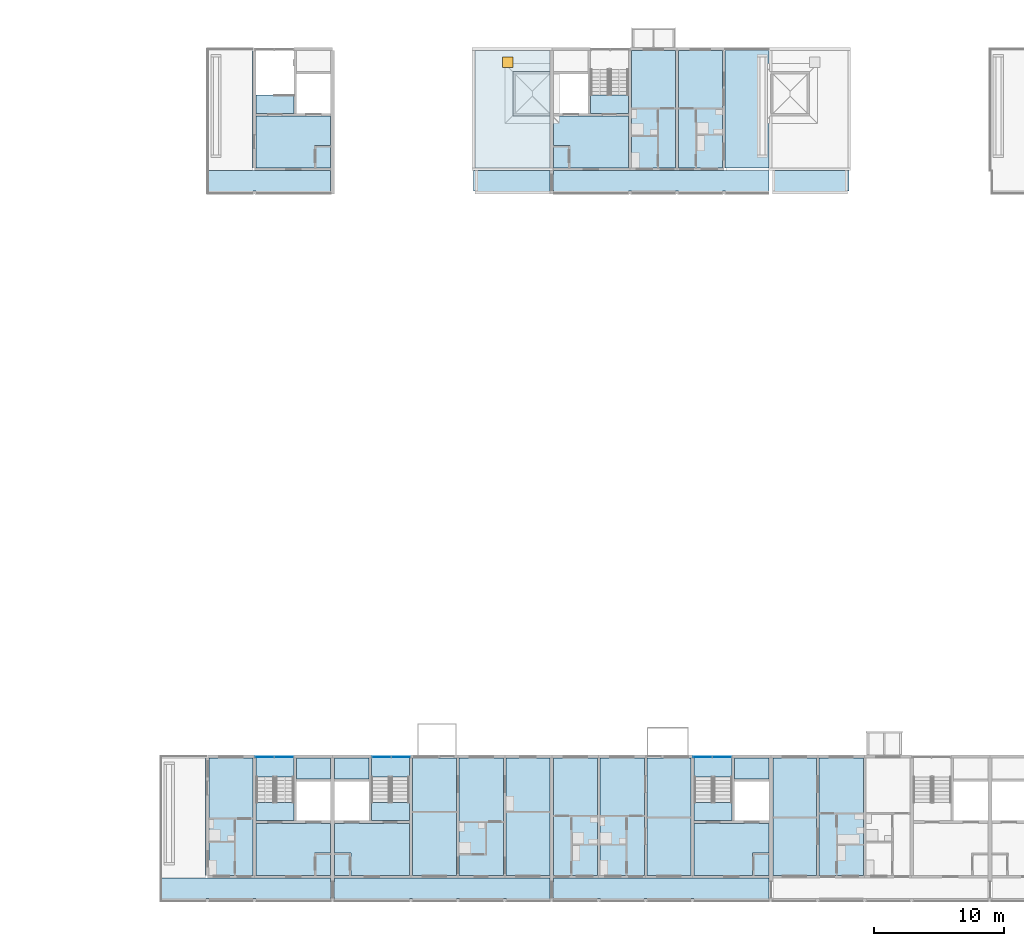
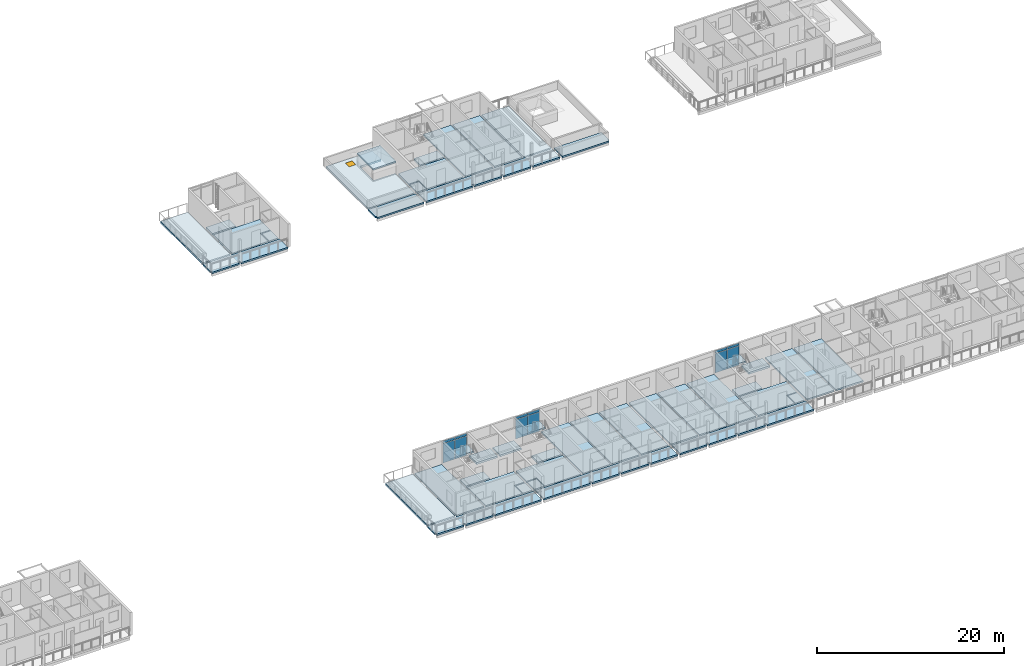
# One storey, part 28 of 78: 44 slabs, 12 plates, 1 door, 1 opening, 6 elements without a shape of their own.
"""IFC4 building model written with IfcOpenShell, lengths in metres."""

import ifcopenshell
import ifcopenshell.guid

model = None  # the IFC model being written
_history = None  # IfcOwnerHistory: only IFC2X3 demands one
_inside = {}  # id of a spatial element -> (the spatial element, [elements in it])
_under = {}  # id of a project, library or spatial element -> (it, [spatial elements below it])
_declared = {}  # id of a project -> (the project, [libraries it declares])
_typed = {}  # id of a type object -> (the type object, [elements of that type])
_made_of = {}  # id of a material, layer set ... -> (it, [elements and type objects made of it])


def new_model(schema):
    """Start an empty IFC model of exactly this schema.

    Asked for "IFC4X3", IfcOpenShell would pick the latest addendum, in which some entities
    have other attributes; the version numbers below select the first issue.
    IFC2X3 requires an IfcOwnerHistory on every rooted entity: one is made here for all.
    """
    global model, _history
    if schema == "IFC4X3":
        model = ifcopenshell.file(schema_version=(4, 3, 0, 0))
    else:
        model = ifcopenshell.file(schema=schema)
    _inside.clear()
    _under.clear()
    _declared.clear()
    _typed.clear()
    _made_of.clear()
    _history = None
    if model.schema == "IFC2X3":
        org = make("IfcOrganization", Name="unknown")
        user = make(
            "IfcPersonAndOrganization",
            ThePerson=make("IfcPerson", FamilyName="unknown"),
            TheOrganization=org,
        )
        app = make(
            "IfcApplication",
            ApplicationDeveloper=org,
            Version="unknown",
            ApplicationFullName="unknown",
            ApplicationIdentifier="unknown",
        )
        _history = make(
            "IfcOwnerHistory",
            OwningUser=user,
            OwningApplication=app,
            ChangeAction="ADDED",
            CreationDate=0,
        )
    return model


def make(cls, **values):
    """One entity of the class cls with the attributes given. An attribute that is None is left unset."""
    return model.create_entity(
        cls, **{name: value for name, value in values.items() if value is not None}
    )


def rooted(cls, **values):
    """An entity with a GlobalId (a new one), such as an element, a storey or a relation."""
    return make(cls, GlobalId=ifcopenshell.guid.new(), OwnerHistory=_history, **values)


def si_unit(unit_type, name, prefix=None):
    """IfcSIUnit, for example si_unit("LENGTHUNIT", "METRE", prefix="MILLI")."""
    return make("IfcSIUnit", UnitType=unit_type, Prefix=prefix, Name=name)


def assignment(units):
    """IfcUnitAssignment: the units of a project."""
    return None if units is None else make("IfcUnitAssignment", Units=units)


def point(xyz):
    """IfcCartesianPoint."""
    return None if xyz is None else make("IfcCartesianPoint", Coordinates=xyz)


def direction(xyz):
    """IfcDirection."""
    return None if xyz is None else make("IfcDirection", DirectionRatios=xyz)


def frame(location, z_axis=None, x_axis=None):
    """IfcAxis2Placement3D, a coordinate frame: its origin and axes. An axis left out is left unset."""
    return make(
        "IfcAxis2Placement3D",
        Location=point(location),
        Axis=direction(z_axis),
        RefDirection=direction(x_axis),
    )


def frame_2d(location, x_axis=None):
    """IfcAxis2Placement2D, a coordinate frame in the plane: its origin and x axis."""
    return make(
        "IfcAxis2Placement2D", Location=point(location), RefDirection=direction(x_axis)
    )


def origin():
    """The frame at (0, 0, 0) with its axes left unset."""
    return frame((0.0, 0.0, 0.0))


def origin_2d():
    """The frame at (0, 0) in the plane with its x axis left unset."""
    return frame_2d((0.0, 0.0))


def place(relative_to, where):
    """IfcLocalPlacement: puts the frame where relative to a parent placement (None: the world)."""
    return make(
        "IfcLocalPlacement", PlacementRelTo=relative_to, RelativePlacement=where
    )


def context(
    kind, dimensions, precision=None, world=None, true_north=None, identifier=None
):
    """IfcGeometricRepresentationContext, for example the 3D "Model" context."""
    return make(
        "IfcGeometricRepresentationContext",
        ContextIdentifier=identifier,
        ContextType=kind,
        CoordinateSpaceDimension=dimensions,
        Precision=precision,
        WorldCoordinateSystem=world,
        TrueNorth=true_north,
    )


def subcontext(parent, identifier, kind, view, scale=None):
    """IfcGeometricRepresentationSubContext, for example "Body" below "Model"."""
    return make(
        "IfcGeometricRepresentationSubContext",
        ContextIdentifier=identifier,
        ContextType=kind,
        ParentContext=parent,
        TargetScale=scale,
        TargetView=view,
    )


def project(units=None, contexts=None):
    """IfcProject with its units and contexts."""
    return rooted(
        "IfcProject",
        Name="project",
        RepresentationContexts=contexts,
        UnitsInContext=assignment(units),
    )


def spatial(cls, under=None, at=None, **own):
    """A site, building, storey or space (cls), placed at a placement, below another one or the project."""
    s = rooted(cls, ObjectPlacement=at, **own)
    if under is not None:
        _under.setdefault(under.id(), (under, []))[1].append(s)
    return s


def polyline(points):
    """IfcPolyline through the points."""
    return make("IfcPolyline", Points=[point(p) for p in points])


def profile(cls, at=None, kind="AREA", **sizes):
    """A parametric profile (cls). Its sizes go by their IFC names, for example OverallWidth=200.0."""
    return make(cls, ProfileType=kind, Position=at, **sizes)


def rectangle(**sizes):
    """IfcRectangleProfileDef."""
    return profile("IfcRectangleProfileDef", **sizes)


def outline(outer, holes=None, kind="AREA"):
    """IfcArbitraryClosedProfileDef: a profile drawn as a closed curve; with holes, ...WithVoids."""
    if holes is None:
        return make("IfcArbitraryClosedProfileDef", ProfileType=kind, OuterCurve=outer)
    return make(
        "IfcArbitraryProfileDefWithVoids",
        ProfileType=kind,
        OuterCurve=outer,
        InnerCurves=holes,
    )


def extrude(swept, where, along, depth):
    """IfcExtrudedAreaSolid: the profile swept, set in the frame where, extruded along a direction by depth."""
    return make(
        "IfcExtrudedAreaSolid",
        SweptArea=swept,
        Position=where,
        ExtrudedDirection=direction(along),
        Depth=depth,
    )


def shape(context_of_items, identifier, shape_type, items):
    """IfcShapeRepresentation: the items that make up one representation, for example the "Body"."""
    return make(
        "IfcShapeRepresentation",
        ContextOfItems=context_of_items,
        RepresentationIdentifier=identifier,
        RepresentationType=shape_type,
        Items=items,
    )


def material(Name=None, Category=None):
    """IfcMaterial."""
    return make("IfcMaterial", Name=Name, Category=Category)


def layer(
    of_material, thickness, ventilated=None, Name=None, Category=None, Priority=None
):
    """IfcMaterialLayer: one layer of a wall or slab, of a material (None: an air gap)."""
    return make(
        "IfcMaterialLayer",
        Material=of_material,
        LayerThickness=thickness,
        IsVentilated=ventilated,
        Name=Name,
        Category=Category,
        Priority=Priority,
    )


def layer_set(layers, Name=None):
    """IfcMaterialLayerSet."""
    return make("IfcMaterialLayerSet", MaterialLayers=layers, LayerSetName=Name)


def made_of(thing, what):
    """Note that an element or type object is made of a material, layer set ...; save() writes the relation."""
    if what is not None:
        _made_of.setdefault(what.id(), (what, []))[1].append(thing)
    return thing


def type_object(cls, material=None, **own):
    """A type object (cls), such as IfcWallType, which elements share."""
    return made_of(rooted(cls, **own), material)


def element(
    cls,
    number,
    at=None,
    inside=None,
    cuts=None,
    type_object=None,
    material=None,
    context=None,
    identifier="Body",
    shape_type=None,
    held_by="IfcProductDefinitionShape",
    body=None,
    shapes=None,
    **own,
):
    """One element of the class cls, such as IfcWall. Its Tag is "e" and its number.

    at: its placement. inside: the storey or other place that contains it. cuts: it is an
    opening in that element (IfcRelVoidsElement). A single representation is given by context,
    identifier, shape_type and body (its items); several are given by shapes. held_by: the class
    of the entity that holds the representations. save() writes the other relations.
    """
    e = rooted(cls, Tag="e%d" % number, ObjectPlacement=at, **own)
    if body is not None:
        shapes = [shape(context, identifier, shape_type, body)]
    if shapes is not None:
        e.Representation = make(held_by, Representations=shapes)
    if inside is not None:
        _inside.setdefault(inside.id(), (inside, []))[1].append(e)
    if cuts is not None:
        rooted(
            "IfcRelVoidsElement", RelatingBuildingElement=cuts, RelatedOpeningElement=e
        )
    if type_object is not None:
        _typed.setdefault(type_object.id(), (type_object, []))[1].append(e)
    return made_of(e, material)


def fill(opening, filler):
    """IfcRelFillsElement: the door or window that sits in an opening."""
    return rooted(
        "IfcRelFillsElement",
        RelatingOpeningElement=opening,
        RelatedBuildingElement=filler,
    )


def aggregate(whole, parts):
    """IfcRelAggregates: a whole, such as a stair, and the parts it consists of."""
    return rooted("IfcRelAggregates", RelatingObject=whole, RelatedObjects=parts)


def save(model, path):
    """Write the relations noted so far, then the file.

    IfcRelAggregates (storeys below a building ...), IfcRelContainedInSpatialStructure (elements
    in a storey), IfcRelDefinesByType, IfcRelAssociatesMaterial and IfcRelDeclares: one each for
    every whole, place, type object, material and project.
    """
    for whole, parts in _under.values():
        aggregate(whole, parts)
    for where, things in _inside.values():
        rooted(
            "IfcRelContainedInSpatialStructure",
            RelatedElements=things,
            RelatingStructure=where,
        )
    for kind, things in _typed.values():
        rooted("IfcRelDefinesByType", RelatedObjects=things, RelatingType=kind)
    for what, things in _made_of.values():
        rooted("IfcRelAssociatesMaterial", RelatedObjects=things, RelatingMaterial=what)
    for by, libraries in _declared.values():
        rooted("IfcRelDeclares", RelatingContext=by, RelatedDefinitions=libraries)
    model.write(path)


model = new_model("IFC4")

# Units and contexts
model_context = context("Model", 3, precision=1e-05, world=origin(), true_north=direction((0.0, 1.0)))
body_context = subcontext(model_context, "Body", "Model", "MODEL_VIEW")
ifc_project = project(units=[si_unit("LENGTHUNIT", "METRE"), si_unit("AREAUNIT", "SQUARE_METRE"), si_unit("VOLUMEUNIT", "CUBIC_METRE"), si_unit("PLANEANGLEUNIT", "RADIAN"), si_unit("MASSUNIT", "GRAM", prefix="KILO")], contexts=[model_context])

# Site, building, storey
site_placement = place(None, origin())
site = spatial("IfcSite", under=ifc_project, at=site_placement, CompositionType="ELEMENT")
building_placement = place(site_placement, origin())
building = spatial("IfcBuilding", under=site, at=building_placement, Name="Ridgestep Commons", CompositionType="ELEMENT")
storey_placement = place(building_placement, frame((0.0, 0.0, 30.0)))
storey = spatial("IfcBuildingStorey", under=building, at=storey_placement, Name="L10", CompositionType="ELEMENT", Elevation=30.0)

# Slabs
ifc_material_1 = material(Name="Precast concrete C40/50", Category="concrete")
ifc_layer_1 = layer(ifc_material_1, 0.199951171875)
ifc_layer_set_1 = layer_set([ifc_layer_1], Name="Gallery roof slab 200")
slab_type_1 = type_object("IfcSlabType", Name="Gallery roof slab 200", PredefinedType="ROOF", material=ifc_layer_set_1)
slab_1_placement = place(storey_placement, frame((0.0, 0.0, -0.199951171875)))
element("IfcSlab", 1, at=slab_1_placement, inside=storey, type_object=slab_type_1, Name="Gallery slab C2 L10", PredefinedType="ROOF", context=body_context, shape_type="SweptSolid", body=[
    extrude(outline(polyline([(174.39990234375, 67.800048828125), (174.39990234375, 66.25), (174.52490234375, 66.25), (174.52490234375, 66.0), (180.25, 66.0), (180.25, 67.800048828125), (174.39990234375, 67.800048828125)])), origin(), (0.0, 0.0, 1.0), 0.199951171875),
])
slab_2_placement = place(storey_placement, frame((0.0, 0.0, -0.199951171875)))
element("IfcSlab", 2, at=slab_2_placement, inside=storey, type_object=slab_type_1, Name="Gallery slab C4 L10", PredefinedType="ROOF", context=body_context, shape_type="SweptSolid", body=[
    extrude(outline(polyline([(197.35009765625, 66.0), (203.074951171875, 66.0), (203.074951171875, 66.25), (203.199951171875, 66.25), (203.199951171875, 67.800048828125), (197.35009765625, 67.800048828125), (197.35009765625, 66.0)])), origin(), (0.0, 0.0, 1.0), 0.199951171875),
])
ifc_material_2 = material(Name="Precast concrete C40/50", Category="concrete")
ifc_layer_2 = layer(ifc_material_2, 0.199951171875)
ifc_layer_set_2 = layer_set([ifc_layer_2], Name="Gallery slab 200")
slab_type_2 = type_object("IfcSlabType", Name="Gallery slab 200", PredefinedType="FLOOR", material=ifc_layer_set_2)
slab_3_placement = place(storey_placement, frame((0.0, 0.0, -0.199951171875)))
element("IfcSlab", 3, at=slab_3_placement, inside=storey, type_object=slab_type_2, Name="Gallery slab C1 L10", PredefinedType="FLOOR", context=body_context, shape_type="SweptSolid", body=[
    extrude(outline(polyline([(163.449951171875, 67.800048828125), (154.0, 67.800048828125), (154.0, 66.25), (154.125, 66.25), (154.125, 66.0), (157.47509765625, 66.0), (157.47509765625, 66.25), (157.72509765625, 66.25), (157.72509765625, 66.0), (163.449951171875, 66.0), (163.449951171875, 67.800048828125)])), origin(), (0.0, 0.0, 1.0), 0.199951171875),
])
slab_4_placement = place(storey_placement, frame((0.0, 0.0, -0.199951171875)))
element("IfcSlab", 4, at=slab_4_placement, inside=storey, type_object=slab_type_2, Name="Gallery slab C3 L10", PredefinedType="FLOOR", context=body_context, shape_type="SweptSolid", body=[
    extrude(outline(polyline([(197.050048828125, 67.800048828125), (180.550048828125, 67.800048828125), (180.550048828125, 66.0), (186.27490234375, 66.0), (186.27490234375, 66.25), (186.52490234375, 66.25), (186.52490234375, 66.0), (189.875, 66.0), (189.875, 66.25), (190.125, 66.25), (190.125, 66.0), (193.47509765625, 66.0), (193.47509765625, 66.25), (193.72509765625, 66.25), (193.72509765625, 66.0), (197.050048828125, 66.0), (197.050048828125, 67.800048828125)])), origin(), (0.0, 0.0, 1.0), 0.199951171875),
])
slab_5_placement = place(storey_placement, frame((0.0, 0.0, -0.199951171875)))
element("IfcSlab", 5, at=slab_5_placement, inside=storey, type_object=slab_type_2, Name="Gallery slab D1 L10", PredefinedType="FLOOR", context=body_context, shape_type="SweptSolid", body=[
    extrude(outline(polyline([(163.449951171875, 11.75), (163.449951171875, 13.550048828125), (150.39990234375, 13.550048828125), (150.39990234375, 12.0), (150.52490234375, 12.0), (150.52490234375, 11.75), (153.875, 11.75), (153.875, 12.0), (154.125, 12.0), (154.125, 11.75), (157.47509765625, 11.75), (157.47509765625, 12.0), (157.72509765625, 12.0), (157.72509765625, 11.75), (163.449951171875, 11.75)])), origin(), (0.0, 0.0, 1.0), 0.199951171875),
])
slab_6_placement = place(storey_placement, frame((0.0, 0.0, -0.199951171875)))
element("IfcSlab", 6, at=slab_6_placement, inside=storey, type_object=slab_type_2, Name="Gallery slab D2 L10", PredefinedType="FLOOR", context=body_context, shape_type="SweptSolid", body=[
    extrude(outline(polyline([(180.25, 13.550048828125), (163.75, 13.550048828125), (163.75, 11.75), (169.47509765625, 11.75), (169.47509765625, 12.0), (169.72509765625, 12.0), (169.72509765625, 11.75), (173.074951171875, 11.75), (173.074951171875, 12.0), (173.324951171875, 12.0), (173.324951171875, 11.75), (176.675048828125, 11.75), (176.675048828125, 12.0), (176.925048828125, 12.0), (176.925048828125, 11.75), (180.25, 11.75), (180.25, 13.550048828125)])), origin(), (0.0, 0.0, 1.0), 0.199951171875),
])
slab_7_placement = place(storey_placement, frame((0.0, 0.0, -0.199951171875)))
element("IfcSlab", 7, at=slab_7_placement, inside=storey, type_object=slab_type_2, Name="Gallery slab D3 L10", PredefinedType="FLOOR", context=body_context, shape_type="SweptSolid", body=[
    extrude(outline(polyline([(197.050048828125, 13.550048828125), (180.550048828125, 13.550048828125), (180.550048828125, 11.75), (183.875, 11.75), (183.875, 12.0), (184.125, 12.0), (184.125, 11.75), (187.47509765625, 11.75), (187.47509765625, 12.0), (187.72509765625, 12.0), (187.72509765625, 11.75), (191.074951171875, 11.75), (191.074951171875, 12.0), (191.324951171875, 12.0), (191.324951171875, 11.75), (197.050048828125, 11.75), (197.050048828125, 13.550048828125)])), origin(), (0.0, 0.0, 1.0), 0.199951171875),
])

# Curtain wall, plates
ifc_material_3 = material(Name="Aluminium 6063-T6 and glass", Category="aluminium")
curtain_wall_type = type_object("IfcCurtainWallType", Name="Curtain wall stair strip", PredefinedType="NOTDEFINED", material=ifc_material_3)
curtain_wall_1_placement = place(storey_placement, origin())
curtain_wall_1 = element("IfcCurtainWall", 8, at=curtain_wall_1_placement, inside=storey, type_object=curtain_wall_type, Name="Curtain wall D1C level 10", PredefinedType="NOTDEFINED")
ifc_material_4 = material(Name="Glass laminated 6/16/6 low-emissivity", Category="glass")
ifc_layer_3 = layer(ifc_material_4, 0.028076171875)
ifc_layer_set_3 = layer_set([ifc_layer_3], Name="Glazing panel 28")
plate_type_1 = type_object("IfcPlateType", Name="Glazing panel 28", PredefinedType="CURTAIN_PANEL", material=ifc_layer_set_3)
plate_1_placement = place(storey_placement, frame((158.371337890625, 22.830078125, 0.06005859375), z_axis=(0.0, 0.0, 1.0), x_axis=(1.0, 0.0, 0.0)))
plate_1 = element("IfcPlate", 9, at=plate_1_placement, type_object=plate_type_1, Name="CW1 panel 1.1", PredefinedType="CURTAIN_PANEL", context=body_context, shape_type="SweptSolid", body=[
    extrude(rectangle(XDim=1.422607421875, YDim=0.028076171875, at=origin_2d()), origin(), (0.0, 0.0, 1.0), 2.5),
])
plate_2_placement = place(storey_placement, frame((159.853759765625, 22.830078125, 0.06005859375), z_axis=(0.0, 0.0, 1.0), x_axis=(1.0, 0.0, 0.0)))
plate_2 = element("IfcPlate", 10, at=plate_2_placement, type_object=plate_type_1, Name="CW1 panel 2.1", PredefinedType="CURTAIN_PANEL", context=body_context, shape_type="SweptSolid", body=[
    extrude(rectangle(XDim=1.422607421875, YDim=0.028076171875, at=origin_2d()), origin(), (0.0, 0.0, 1.0), 2.5),
])

curtain_wall_2_placement = place(storey_placement, origin())
curtain_wall_2 = element("IfcCurtainWall", 11, at=curtain_wall_2_placement, inside=storey, type_object=curtain_wall_type, Name="Curtain wall D2C level 10", PredefinedType="NOTDEFINED")
plate_3_placement = place(storey_placement, frame((167.34619140625, 22.830078125, 0.06005859375), z_axis=(0.0, 0.0, 1.0), x_axis=(1.0, 0.0, 0.0)))
plate_3 = element("IfcPlate", 12, at=plate_3_placement, type_object=plate_type_1, Name="CW1 panel 1.1", PredefinedType="CURTAIN_PANEL", context=body_context, shape_type="SweptSolid", body=[
    extrude(rectangle(XDim=1.422607421875, YDim=0.028076171875, at=origin_2d()), origin(), (0.0, 0.0, 1.0), 2.5),
])
plate_4_placement = place(storey_placement, frame((168.828857421875, 22.830078125, 0.06005859375), z_axis=(0.0, 0.0, 1.0), x_axis=(1.0, 0.0, 0.0)))
plate_4 = element("IfcPlate", 13, at=plate_4_placement, type_object=plate_type_1, Name="CW1 panel 2.1", PredefinedType="CURTAIN_PANEL", context=body_context, shape_type="SweptSolid", body=[
    extrude(rectangle(XDim=1.422607421875, YDim=0.028076171875, at=origin_2d()), origin(), (0.0, 0.0, 1.0), 2.5),
])

curtain_wall_3_placement = place(storey_placement, origin())
curtain_wall_3 = element("IfcCurtainWall", 14, at=curtain_wall_3_placement, inside=storey, type_object=curtain_wall_type, Name="Curtain wall D3C level 10", PredefinedType="NOTDEFINED")
plate_5_placement = place(storey_placement, frame((191.97119140625, 22.830078125, 0.06005859375), z_axis=(0.0, 0.0, 1.0), x_axis=(1.0, 0.0, 0.0)))
plate_5 = element("IfcPlate", 15, at=plate_5_placement, type_object=plate_type_1, Name="CW1 panel 1.1", PredefinedType="CURTAIN_PANEL", context=body_context, shape_type="SweptSolid", body=[
    extrude(rectangle(XDim=1.422607421875, YDim=0.028076171875, at=origin_2d()), origin(), (0.0, 0.0, 1.0), 2.5),
])
plate_6_placement = place(storey_placement, frame((193.453857421875, 22.830078125, 0.06005859375), z_axis=(0.0, 0.0, 1.0), x_axis=(1.0, 0.0, 0.0)))
plate_6 = element("IfcPlate", 16, at=plate_6_placement, type_object=plate_type_1, Name="CW1 panel 2.1", PredefinedType="CURTAIN_PANEL", context=body_context, shape_type="SweptSolid", body=[
    extrude(rectangle(XDim=1.422607421875, YDim=0.028076171875, at=origin_2d()), origin(), (0.0, 0.0, 1.0), 2.5),
])

# Slabs
ifc_material_5 = material(Name="Precast concrete C50/60", Category="concrete")
ifc_layer_4 = layer(ifc_material_5, 0.199951171875)
ifc_layer_set_4 = layer_set([ifc_layer_4], Name="Hollow-core plank 200")
slab_type_3 = type_object("IfcSlabType", Name="Hollow-core plank 200", PredefinedType="FLOOR", material=ifc_layer_set_4)
slab_8_placement = place(storey_placement, frame((0.0, 0.0, -0.199951171875)))
element("IfcSlab", 17, at=slab_8_placement, inside=storey, type_object=slab_type_3, Name="Floor plank C3T3 L10", PredefinedType="FLOOR", context=body_context, shape_type="SweptSolid", body=[
    extrude(outline(polyline([(189.89990234375, 68.0), (189.89990234375, 77.0), (186.52490234375, 77.0), (186.52490234375, 68.0), (189.89990234375, 68.0)])), origin(), (0.0, 0.0, 1.0), 0.199951171875),
])
slab_9_placement = place(storey_placement, frame((0.0, 0.0, -0.199951171875)))
element("IfcSlab", 18, at=slab_9_placement, inside=storey, type_object=slab_type_3, Name="Floor plank C3T2 L10", PredefinedType="FLOOR", context=body_context, shape_type="SweptSolid", body=[
    extrude(outline(polyline([(193.5, 68.0), (193.5, 77.0), (190.10009765625, 77.0), (190.10009765625, 68.0), (193.5, 68.0)])), origin(), (0.0, 0.0, 1.0), 0.199951171875),
])
slab_10_placement = place(storey_placement, frame((0.0, 0.0, -0.199951171875)))
element("IfcSlab", 19, at=slab_10_placement, inside=storey, type_object=slab_type_3, Name="Floor plank D1T3 L10", PredefinedType="FLOOR", context=body_context, shape_type="SweptSolid", body=[
    extrude(outline(polyline([(157.47509765625, 13.75), (157.47509765625, 22.75), (154.10009765625, 22.75), (154.10009765625, 13.75), (157.47509765625, 13.75)])), origin(), (0.0, 0.0, 1.0), 0.199951171875),
])
slab_11_placement = place(storey_placement, frame((0.0, 0.0, -0.199951171875)))
element("IfcSlab", 20, at=slab_11_placement, inside=storey, type_object=slab_type_3, Name="Floor plank D2T3 L10", PredefinedType="FLOOR", context=body_context, shape_type="SweptSolid", body=[
    extrude(outline(polyline([(173.10009765625, 13.75), (173.10009765625, 22.75), (169.72509765625, 22.75), (169.72509765625, 13.75), (173.10009765625, 13.75)])), origin(), (0.0, 0.0, 1.0), 0.199951171875),
])
slab_12_placement = place(storey_placement, frame((0.0, 0.0, -0.199951171875)))
element("IfcSlab", 21, at=slab_12_placement, inside=storey, type_object=slab_type_3, Name="Floor plank D2T2 L10", PredefinedType="FLOOR", context=body_context, shape_type="SweptSolid", body=[
    extrude(outline(polyline([(176.699951171875, 13.75), (176.699951171875, 22.75), (173.300048828125, 22.75), (173.300048828125, 13.75), (176.699951171875, 13.75)])), origin(), (0.0, 0.0, 1.0), 0.199951171875),
])
slab_13_placement = place(storey_placement, frame((0.0, 0.0, -0.199951171875)))
element("IfcSlab", 22, at=slab_13_placement, inside=storey, type_object=slab_type_3, Name="Floor plank D2T1 L10", PredefinedType="FLOOR", context=body_context, shape_type="SweptSolid", body=[
    extrude(outline(polyline([(180.25, 13.75), (180.25, 22.75), (176.89990234375, 22.75), (176.89990234375, 13.75), (180.25, 13.75)])), origin(), (0.0, 0.0, 1.0), 0.199951171875),
])
slab_14_placement = place(storey_placement, frame((0.0, 0.0, -0.199951171875)))
element("IfcSlab", 23, at=slab_14_placement, inside=storey, type_object=slab_type_3, Name="Floor plank D3T1 L10", PredefinedType="FLOOR", context=body_context, shape_type="SweptSolid", body=[
    extrude(outline(polyline([(183.89990234375, 13.75), (183.89990234375, 22.75), (180.550048828125, 22.75), (180.550048828125, 13.75), (183.89990234375, 13.75)])), origin(), (0.0, 0.0, 1.0), 0.199951171875),
])
slab_15_placement = place(storey_placement, frame((0.0, 0.0, -0.199951171875)))
element("IfcSlab", 24, at=slab_15_placement, inside=storey, type_object=slab_type_3, Name="Floor plank D3T2 L10", PredefinedType="FLOOR", context=body_context, shape_type="SweptSolid", body=[
    extrude(outline(polyline([(187.5, 13.75), (187.5, 22.75), (184.10009765625, 22.75), (184.10009765625, 13.75), (187.5, 13.75)])), origin(), (0.0, 0.0, 1.0), 0.199951171875),
])
slab_16_placement = place(storey_placement, frame((0.0, 0.0, -0.199951171875)))
element("IfcSlab", 25, at=slab_16_placement, inside=storey, type_object=slab_type_3, Name="Floor plank D3T3 L10", PredefinedType="FLOOR", context=body_context, shape_type="SweptSolid", body=[
    extrude(outline(polyline([(191.074951171875, 13.75), (191.074951171875, 22.75), (187.699951171875, 22.75), (187.699951171875, 13.75), (191.074951171875, 13.75)])), origin(), (0.0, 0.0, 1.0), 0.199951171875),
])
slab_17_placement = place(storey_placement, frame((0.0, 0.0, -0.199951171875)))
element("IfcSlab", 26, at=slab_17_placement, inside=storey, type_object=slab_type_3, Name="Floor plank D4T1 L10", PredefinedType="FLOOR", context=body_context, shape_type="SweptSolid", body=[
    extrude(outline(polyline([(200.699951171875, 13.75), (200.699951171875, 22.75), (197.35009765625, 22.75), (197.35009765625, 13.75), (200.699951171875, 13.75)])), origin(), (0.0, 0.0, 1.0), 0.199951171875),
])
slab_18_placement = place(storey_placement, frame((0.0, 0.0, -0.199951171875)))
element("IfcSlab", 27, at=slab_18_placement, inside=storey, type_object=slab_type_3, Name="Floor plank D4T2 L10", PredefinedType="FLOOR", context=body_context, shape_type="SweptSolid", body=[
    extrude(outline(polyline([(204.300048828125, 13.75), (204.300048828125, 22.75), (200.89990234375, 22.75), (200.89990234375, 13.75), (204.300048828125, 13.75)])), origin(), (0.0, 0.0, 1.0), 0.199951171875),
])
ifc_material_6 = material(Name="Precast concrete C50/60", Category="concrete")
ifc_layer_5 = layer(ifc_material_6, 0.25)
ifc_layer_set_5 = layer_set([ifc_layer_5], Name="Hollow-core plank 250")
slab_type_4 = type_object("IfcSlabType", Name="Hollow-core plank 250", PredefinedType="FLOOR", material=ifc_layer_set_5)
slab_19_placement = place(storey_placement, frame((0.0, 0.0, -0.25)))
element("IfcSlab", 28, at=slab_19_placement, inside=storey, type_object=slab_type_4, Name="Floor plank C1C L10", PredefinedType="FLOOR", context=body_context, shape_type="SweptSolid", body=[
    extrude(outline(polyline([(162.320068359375, 69.719970703125), (163.449951171875, 69.719970703125), (163.449951171875, 72.0), (157.72509765625, 72.0), (157.72509765625, 68.0), (162.199951171875, 68.0), (162.199951171875, 69.719970703125), (162.320068359375, 69.719970703125)])), origin(), (0.0, 0.0, 1.0), 0.25),
])
slab_20_placement = place(storey_placement, frame((0.0, 0.0, -0.25)))
element("IfcSlab", 29, at=slab_20_placement, inside=storey, type_object=slab_type_4, Name="Floor plank C1C L10", PredefinedType="FLOOR", context=body_context, shape_type="SweptSolid", body=[
    extrude(outline(polyline([(160.625, 72.199951171875), (160.625, 73.60009765625), (157.72509765625, 73.60009765625), (157.72509765625, 72.199951171875), (160.625, 72.199951171875)])), origin(), (0.0, 0.0, 1.0), 0.25),
])
slab_21_placement = place(storey_placement, frame((0.0, 0.0, -0.25)))
element("IfcSlab", 30, at=slab_21_placement, inside=storey, type_object=slab_type_4, Name="Floor plank C1C L10", PredefinedType="FLOOR", context=body_context, shape_type="SweptSolid", body=[
    extrude(outline(polyline([(162.320068359375, 68.0), (163.449951171875, 68.0), (163.449951171875, 69.60009765625), (162.320068359375, 69.60009765625), (162.320068359375, 68.0)])), origin(), (0.0, 0.0, 1.0), 0.25),
])
slab_22_placement = place(storey_placement, frame((0.0, 0.0, -0.25)))
element("IfcSlab", 31, at=slab_22_placement, inside=storey, type_object=slab_type_4, Name="Floor plank C3C L10", PredefinedType="FLOOR", context=body_context, shape_type="SweptSolid", body=[
    extrude(outline(polyline([(181.800048828125, 68.0), (186.27490234375, 68.0), (186.27490234375, 72.0), (180.550048828125, 72.0), (180.550048828125, 69.719970703125), (181.679931640625, 69.719970703125), (181.800048828125, 69.719970703125), (181.800048828125, 68.0)])), origin(), (0.0, 0.0, 1.0), 0.25),
])
slab_23_placement = place(storey_placement, frame((0.0, 0.0, -0.25)))
element("IfcSlab", 32, at=slab_23_placement, inside=storey, type_object=slab_type_4, Name="Floor plank C3C L10", PredefinedType="FLOOR", context=body_context, shape_type="SweptSolid", body=[
    extrude(outline(polyline([(186.27490234375, 72.199951171875), (186.27490234375, 73.60009765625), (183.375, 73.60009765625), (183.375, 72.199951171875), (186.27490234375, 72.199951171875)])), origin(), (0.0, 0.0, 1.0), 0.25),
])
slab_24_placement = place(storey_placement, frame((0.0, 0.0, -0.25)))
element("IfcSlab", 33, at=slab_24_placement, inside=storey, type_object=slab_type_4, Name="Floor plank C3C L10", PredefinedType="FLOOR", context=body_context, shape_type="SweptSolid", body=[
    extrude(outline(polyline([(181.679931640625, 69.60009765625), (180.550048828125, 69.60009765625), (180.550048828125, 68.0), (181.679931640625, 68.0), (181.679931640625, 69.60009765625)])), origin(), (0.0, 0.0, 1.0), 0.25),
])
slab_25_placement = place(storey_placement, frame((0.0, 0.0, -0.25)))
element("IfcSlab", 34, at=slab_25_placement, inside=storey, type_object=slab_type_4, Name="Floor plank D1C L10", PredefinedType="FLOOR", context=body_context, shape_type="SweptSolid", body=[
    extrude(outline(polyline([(162.320068359375, 15.469970703125), (163.449951171875, 15.469970703125), (163.449951171875, 17.75), (157.72509765625, 17.75), (157.72509765625, 13.75), (162.199951171875, 13.75), (162.199951171875, 15.469970703125), (162.320068359375, 15.469970703125)])), origin(), (0.0, 0.0, 1.0), 0.25),
])
slab_26_placement = place(storey_placement, frame((0.0, 0.0, -0.25)))
element("IfcSlab", 35, at=slab_26_placement, inside=storey, type_object=slab_type_4, Name="Floor plank D1C L10", PredefinedType="FLOOR", context=body_context, shape_type="SweptSolid", body=[
    extrude(outline(polyline([(163.449951171875, 21.14990234375), (163.449951171875, 22.75), (160.824951171875, 22.75), (160.824951171875, 21.14990234375), (163.449951171875, 21.14990234375)])), origin(), (0.0, 0.0, 1.0), 0.25),
])
slab_27_placement = place(storey_placement, frame((0.0, 0.0, -0.25)))
element("IfcSlab", 36, at=slab_27_placement, inside=storey, type_object=slab_type_4, Name="Floor plank D1C L10", PredefinedType="FLOOR", context=body_context, shape_type="SweptSolid", body=[
    extrude(outline(polyline([(160.625, 17.949951171875), (160.625, 19.35009765625), (157.72509765625, 19.35009765625), (157.72509765625, 17.949951171875), (160.625, 17.949951171875)])), origin(), (0.0, 0.0, 1.0), 0.25),
])
slab_28_placement = place(storey_placement, frame((0.0, 0.0, -0.25)))
element("IfcSlab", 37, at=slab_28_placement, inside=storey, type_object=slab_type_4, Name="Floor plank D1C L10", PredefinedType="FLOOR", context=body_context, shape_type="SweptSolid", body=[
    extrude(outline(polyline([(162.320068359375, 13.75), (163.449951171875, 13.75), (163.449951171875, 15.35009765625), (162.320068359375, 15.35009765625), (162.320068359375, 13.75)])), origin(), (0.0, 0.0, 1.0), 0.25),
])
slab_29_placement = place(storey_placement, frame((0.0, 0.0, -0.25)))
element("IfcSlab", 38, at=slab_29_placement, inside=storey, type_object=slab_type_4, Name="Floor plank D2C L10", PredefinedType="FLOOR", context=body_context, shape_type="SweptSolid", body=[
    extrude(outline(polyline([(165.0, 13.75), (169.47509765625, 13.75), (169.47509765625, 17.75), (163.75, 17.75), (163.75, 15.469970703125), (164.8798828125, 15.469970703125), (165.0, 15.469970703125), (165.0, 13.75)])), origin(), (0.0, 0.0, 1.0), 0.25),
])
slab_30_placement = place(storey_placement, frame((0.0, 0.0, -0.25)))
element("IfcSlab", 39, at=slab_30_placement, inside=storey, type_object=slab_type_4, Name="Floor plank D2C L10", PredefinedType="FLOOR", context=body_context, shape_type="SweptSolid", body=[
    extrude(outline(polyline([(166.375, 22.75), (163.75, 22.75), (163.75, 21.14990234375), (166.375, 21.14990234375), (166.375, 22.75)])), origin(), (0.0, 0.0, 1.0), 0.25),
])
slab_31_placement = place(storey_placement, frame((0.0, 0.0, -0.25)))
element("IfcSlab", 40, at=slab_31_placement, inside=storey, type_object=slab_type_4, Name="Floor plank D2C L10", PredefinedType="FLOOR", context=body_context, shape_type="SweptSolid", body=[
    extrude(outline(polyline([(169.47509765625, 17.949951171875), (169.47509765625, 19.35009765625), (166.574951171875, 19.35009765625), (166.574951171875, 17.949951171875), (169.47509765625, 17.949951171875)])), origin(), (0.0, 0.0, 1.0), 0.25),
])
slab_32_placement = place(storey_placement, frame((0.0, 0.0, -0.25)))
element("IfcSlab", 41, at=slab_32_placement, inside=storey, type_object=slab_type_4, Name="Floor plank D2C L10", PredefinedType="FLOOR", context=body_context, shape_type="SweptSolid", body=[
    extrude(outline(polyline([(164.8798828125, 15.35009765625), (163.75, 15.35009765625), (163.75, 13.75), (164.8798828125, 13.75), (164.8798828125, 15.35009765625)])), origin(), (0.0, 0.0, 1.0), 0.25),
])
slab_33_placement = place(storey_placement, frame((0.0, 0.0, -0.25)))
element("IfcSlab", 42, at=slab_33_placement, inside=storey, type_object=slab_type_4, Name="Floor plank D3C L10", PredefinedType="FLOOR", context=body_context, shape_type="SweptSolid", body=[
    extrude(outline(polyline([(195.919921875, 15.469970703125), (197.050048828125, 15.469970703125), (197.050048828125, 17.75), (191.324951171875, 17.75), (191.324951171875, 13.75), (195.800048828125, 13.75), (195.800048828125, 15.469970703125), (195.919921875, 15.469970703125)])), origin(), (0.0, 0.0, 1.0), 0.25),
])
slab_34_placement = place(storey_placement, frame((0.0, 0.0, -0.25)))
element("IfcSlab", 43, at=slab_34_placement, inside=storey, type_object=slab_type_4, Name="Floor plank D3C L10", PredefinedType="FLOOR", context=body_context, shape_type="SweptSolid", body=[
    extrude(outline(polyline([(197.050048828125, 21.14990234375), (197.050048828125, 22.75), (194.425048828125, 22.75), (194.425048828125, 21.14990234375), (197.050048828125, 21.14990234375)])), origin(), (0.0, 0.0, 1.0), 0.25),
])
slab_35_placement = place(storey_placement, frame((0.0, 0.0, -0.25)))
element("IfcSlab", 44, at=slab_35_placement, inside=storey, type_object=slab_type_4, Name="Floor plank D3C L10", PredefinedType="FLOOR", context=body_context, shape_type="SweptSolid", body=[
    extrude(outline(polyline([(194.22509765625, 17.949951171875), (194.22509765625, 19.35009765625), (191.324951171875, 19.35009765625), (191.324951171875, 17.949951171875), (194.22509765625, 17.949951171875)])), origin(), (0.0, 0.0, 1.0), 0.25),
])
slab_36_placement = place(storey_placement, frame((0.0, 0.0, -0.25)))
element("IfcSlab", 45, at=slab_36_placement, inside=storey, type_object=slab_type_4, Name="Floor plank D3C L10", PredefinedType="FLOOR", context=body_context, shape_type="SweptSolid", body=[
    extrude(outline(polyline([(195.919921875, 13.75), (197.050048828125, 13.75), (197.050048828125, 15.35009765625), (195.919921875, 15.35009765625), (195.919921875, 13.75)])), origin(), (0.0, 0.0, 1.0), 0.25),
])
ifc_material_7 = material(Name="Precast concrete C50/60", Category="concrete")
ifc_layer_6 = layer(ifc_material_7, 0.199951171875)
ifc_layer_set_6 = layer_set([ifc_layer_6], Name="Overrun roof 200")
slab_type_5 = type_object("IfcSlabType", Name="Overrun roof 200", PredefinedType="ROOF", material=ifc_layer_set_6)
slab_37_placement = place(storey_placement, frame((0.0, 0.0, 1.5)))
element("IfcSlab", 46, at=slab_37_placement, inside=storey, type_object=slab_type_5, Name="Lift overrun roof C2C", PredefinedType="ROOF", context=body_context, shape_type="SweptSolid", body=[
    extrude(outline(polyline([(177.425048828125, 72.0), (180.25, 72.0), (180.25, 75.39990234375), (177.425048828125, 75.39990234375), (177.425048828125, 72.0)])), origin(), (0.0, 0.0, 1.0), 0.199951171875),
])
ifc_material_8 = material(Name="Precast concrete C50/60", Category="concrete")
ifc_layer_7 = layer(ifc_material_8, 0.25)
ifc_layer_set_7 = layer_set([ifc_layer_7], Name="Roof slab 250")
slab_type_6 = type_object("IfcSlabType", Name="Roof slab 250", PredefinedType="ROOF", material=ifc_layer_set_7)
slab_38_placement = place(storey_placement, frame((0.0, 0.0, -0.25)))
element("IfcSlab", 47, at=slab_38_placement, inside=storey, type_object=slab_type_6, Name="Terrace slab C1T3", PredefinedType="ROOF", context=body_context, shape_type="SweptSolid", body=[
    extrude(outline(polyline([(157.47509765625, 68.0), (157.47509765625, 77.0), (154.10009765625, 77.0), (154.10009765625, 68.0), (157.47509765625, 68.0)])), origin(), (0.0, 0.0, 1.0), 0.25),
])

# Slab, opening, door
slab_39_placement = place(storey_placement, frame((0.0, 0.0, -0.25)))
slab_39 = element("IfcSlab", 48, at=slab_39_placement, inside=storey, type_object=slab_type_6, Name="Roof slab C2C", PredefinedType="ROOF", context=body_context, shape_type="SweptSolid", body=[
    extrude(outline(polyline([(180.25, 68.0), (180.25, 72.199951171875), (177.625, 72.199951171875), (177.625, 75.199951171875), (180.25, 75.199951171875), (180.25, 77.0), (174.52490234375, 77.0), (174.52490234375, 68.0), (180.25, 68.0)])), origin(), (0.0, 0.0, 1.0), 0.25),
])
opening_placement = place(slab_39_placement, frame((177.02490234375, 76.10009765625, 0.0)))
opening = element("IfcOpeningElement", 49, at=opening_placement, cuts=slab_39, Name="Opening C2C/RF/1", PredefinedType="OPENING", context=body_context, shape_type="SweptSolid", body=[
    extrude(rectangle(XDim=0.800048828125, YDim=0.800048828125, at=origin_2d()), origin(), (0.0, 0.0, 1.0), 0.25),
])
ifc_material_9 = material(Name="Steel", Category="steel")
door_type = type_object("IfcDoorType", Name="Ladder roof hatch 800 x 800", OperationType="SINGLE_SWING_LEFT", PredefinedType="TRAPDOOR", material=ifc_material_9)
door_placement = place(opening_placement, frame((0.0, 0.0, 0.199951171875)))
door = element("IfcDoor", 50, at=door_placement, inside=storey, type_object=door_type, Name="Roof hatch C2C", OperationType="SINGLE_SWING_LEFT", OverallHeight=0.800048828125, OverallWidth=0.800048828125, PredefinedType="TRAPDOOR", context=body_context, shape_type="SweptSolid", body=[
    extrude(rectangle(XDim=0.800048828125, YDim=0.800048828125, at=origin_2d()), origin(), (0.0, 0.0, 1.0), 0.050048828125),
])
fill(opening, door)

# Slabs
slab_40_placement = place(storey_placement, frame((0.0, 0.0, -0.25)))
element("IfcSlab", 51, at=slab_40_placement, inside=storey, type_object=slab_type_6, Name="Terrace slab C3T1", PredefinedType="ROOF", context=body_context, shape_type="SweptSolid", body=[
    extrude(outline(polyline([(197.050048828125, 68.0), (197.050048828125, 77.0), (193.699951171875, 77.0), (193.699951171875, 68.0), (197.050048828125, 68.0)])), origin(), (0.0, 0.0, 1.0), 0.25),
])
slab_41_placement = place(storey_placement, frame((0.0, 0.0, -0.25)))
element("IfcSlab", 52, at=slab_41_placement, inside=storey, type_object=slab_type_6, Name="Terrace slab D1T2", PredefinedType="ROOF", context=body_context, shape_type="SweptSolid", body=[
    extrude(outline(polyline([(153.89990234375, 13.75), (153.89990234375, 22.75), (150.5, 22.75), (150.5, 13.75), (153.89990234375, 13.75)])), origin(), (0.0, 0.0, 1.0), 0.25),
])

# Plate
ifc_material_10 = material(Name="Aluminium 6063-T6 and mineral wool", Category="aluminium")
ifc_layer_8 = layer(ifc_material_10, 0.0400390625)
ifc_layer_set_8 = layer_set([ifc_layer_8], Name="Spandrel panel 40")
plate_type_2 = type_object("IfcPlateType", Name="Spandrel panel 40", PredefinedType="CURTAIN_PANEL", material=ifc_layer_set_8)
plate_7_placement = place(storey_placement, frame((158.371337890625, 22.830078125, 2.6201171875), z_axis=(0.0, 0.0, 1.0), x_axis=(1.0, 0.0, 0.0)))
plate_7 = element("IfcPlate", 53, at=plate_7_placement, type_object=plate_type_2, Name="CW1 panel 1.2", PredefinedType="CURTAIN_PANEL", context=body_context, shape_type="SweptSolid", body=[
    extrude(rectangle(XDim=1.422607421875, YDim=0.0400390625, at=origin_2d()), origin(), (0.0, 0.0, 1.0), 0.320068359375),
])

plate_8_placement = place(storey_placement, frame((159.853759765625, 22.830078125, 2.6201171875), z_axis=(0.0, 0.0, 1.0), x_axis=(1.0, 0.0, 0.0)))
plate_8 = element("IfcPlate", 54, at=plate_8_placement, type_object=plate_type_2, Name="CW1 panel 2.2", PredefinedType="CURTAIN_PANEL", context=body_context, shape_type="SweptSolid", body=[
    extrude(rectangle(XDim=1.422607421875, YDim=0.0400390625, at=origin_2d()), origin(), (0.0, 0.0, 1.0), 0.320068359375),
])

aggregate(curtain_wall_1, [plate_1, plate_7, plate_2, plate_8])

plate_9_placement = place(storey_placement, frame((167.34619140625, 22.830078125, 2.6201171875), z_axis=(0.0, 0.0, 1.0), x_axis=(1.0, 0.0, 0.0)))
plate_9 = element("IfcPlate", 55, at=plate_9_placement, type_object=plate_type_2, Name="CW1 panel 1.2", PredefinedType="CURTAIN_PANEL", context=body_context, shape_type="SweptSolid", body=[
    extrude(rectangle(XDim=1.422607421875, YDim=0.0400390625, at=origin_2d()), origin(), (0.0, 0.0, 1.0), 0.320068359375),
])

plate_10_placement = place(storey_placement, frame((168.828857421875, 22.830078125, 2.6201171875), z_axis=(0.0, 0.0, 1.0), x_axis=(1.0, 0.0, 0.0)))
plate_10 = element("IfcPlate", 56, at=plate_10_placement, type_object=plate_type_2, Name="CW1 panel 2.2", PredefinedType="CURTAIN_PANEL", context=body_context, shape_type="SweptSolid", body=[
    extrude(rectangle(XDim=1.422607421875, YDim=0.0400390625, at=origin_2d()), origin(), (0.0, 0.0, 1.0), 0.320068359375),
])

aggregate(curtain_wall_2, [plate_3, plate_9, plate_4, plate_10])

plate_11_placement = place(storey_placement, frame((191.97119140625, 22.830078125, 2.6201171875), z_axis=(0.0, 0.0, 1.0), x_axis=(1.0, 0.0, 0.0)))
plate_11 = element("IfcPlate", 57, at=plate_11_placement, type_object=plate_type_2, Name="CW1 panel 1.2", PredefinedType="CURTAIN_PANEL", context=body_context, shape_type="SweptSolid", body=[
    extrude(rectangle(XDim=1.422607421875, YDim=0.0400390625, at=origin_2d()), origin(), (0.0, 0.0, 1.0), 0.320068359375),
])

plate_12_placement = place(storey_placement, frame((193.453857421875, 22.830078125, 2.6201171875), z_axis=(0.0, 0.0, 1.0), x_axis=(1.0, 0.0, 0.0)))
plate_12 = element("IfcPlate", 58, at=plate_12_placement, type_object=plate_type_2, Name="CW1 panel 2.2", PredefinedType="CURTAIN_PANEL", context=body_context, shape_type="SweptSolid", body=[
    extrude(rectangle(XDim=1.422607421875, YDim=0.0400390625, at=origin_2d()), origin(), (0.0, 0.0, 1.0), 0.320068359375),
])

aggregate(curtain_wall_3, [plate_5, plate_11, plate_6, plate_12])

# Stair, slab
ifc_material_11 = material(Name="Precast concrete C40/50", Category="concrete")
stair_type = type_object("IfcStairType", Name="Escape stair 1400", PredefinedType="HALF_TURN_STAIR", material=ifc_material_11)
stair_1_placement = place(storey_placement, origin())
stair_1 = element("IfcStair", 59, at=stair_1_placement, inside=storey, type_object=stair_type, Name="L10 Escape stair D1C", PredefinedType="HALF_TURN_STAIR")
ifc_material_12 = material(Name="Precast concrete C40/50", Category="concrete")
ifc_layer_9 = layer(ifc_material_12, 0.199951171875)
ifc_layer_set_9 = layer_set([ifc_layer_9], Name="Stair landing 200")
slab_type_7 = type_object("IfcSlabType", Name="Stair landing 200", PredefinedType="LANDING", material=ifc_layer_set_9)
slab_42_placement = place(storey_placement, frame((0.0, 0.0, 1.300048828125)))
slab_42 = element("IfcSlab", 60, at=slab_42_placement, type_object=slab_type_7, Name="D1C landing 1", PredefinedType="LANDING", context=body_context, shape_type="SweptSolid", body=[
    extrude(outline(polyline([(160.625, 21.31005859375), (160.625, 22.75), (157.72509765625, 22.75), (157.72509765625, 21.31005859375), (160.625, 21.31005859375)])), origin(), (0.0, 0.0, 1.0), 0.199951171875),
])
aggregate(stair_1, [slab_42])

stair_2_placement = place(storey_placement, origin())
stair_2 = element("IfcStair", 61, at=stair_2_placement, inside=storey, type_object=stair_type, Name="L10 Escape stair D2C", PredefinedType="HALF_TURN_STAIR")
slab_43_placement = place(storey_placement, frame((0.0, 0.0, 1.300048828125)))
slab_43 = element("IfcSlab", 62, at=slab_43_placement, type_object=slab_type_7, Name="D2C landing 1", PredefinedType="LANDING", context=body_context, shape_type="SweptSolid", body=[
    extrude(outline(polyline([(169.47509765625, 21.31005859375), (169.47509765625, 22.75), (166.574951171875, 22.75), (166.574951171875, 21.31005859375), (169.47509765625, 21.31005859375)])), origin(), (0.0, 0.0, 1.0), 0.199951171875),
])
aggregate(stair_2, [slab_43])

stair_3_placement = place(storey_placement, origin())
stair_3 = element("IfcStair", 63, at=stair_3_placement, inside=storey, type_object=stair_type, Name="L10 Escape stair D3C", PredefinedType="HALF_TURN_STAIR")
slab_44_placement = place(storey_placement, frame((0.0, 0.0, 1.300048828125)))
slab_44 = element("IfcSlab", 64, at=slab_44_placement, type_object=slab_type_7, Name="D3C landing 1", PredefinedType="LANDING", context=body_context, shape_type="SweptSolid", body=[
    extrude(outline(polyline([(194.22509765625, 21.31005859375), (194.22509765625, 22.75), (191.324951171875, 22.75), (191.324951171875, 21.31005859375), (194.22509765625, 21.31005859375)])), origin(), (0.0, 0.0, 1.0), 0.199951171875),
])
aggregate(stair_3, [slab_44])

save(model, "model.ifc")
